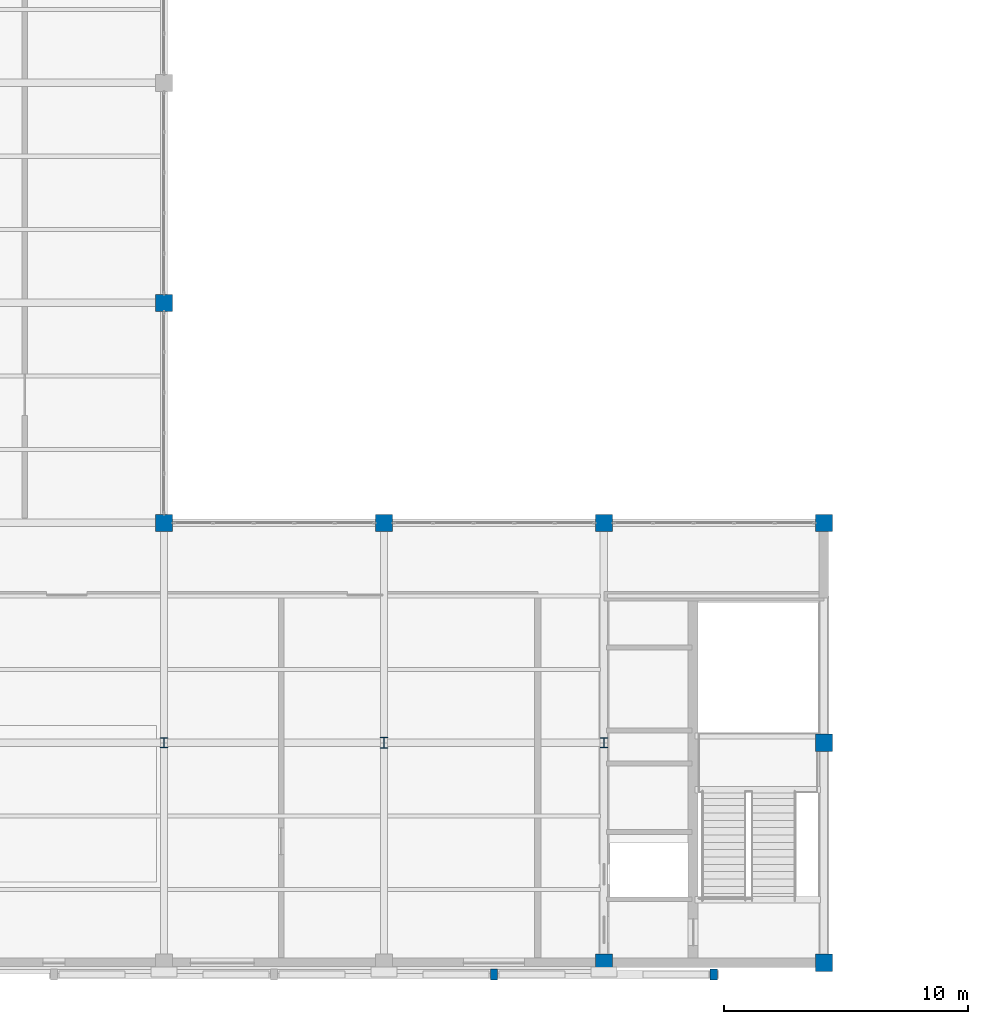
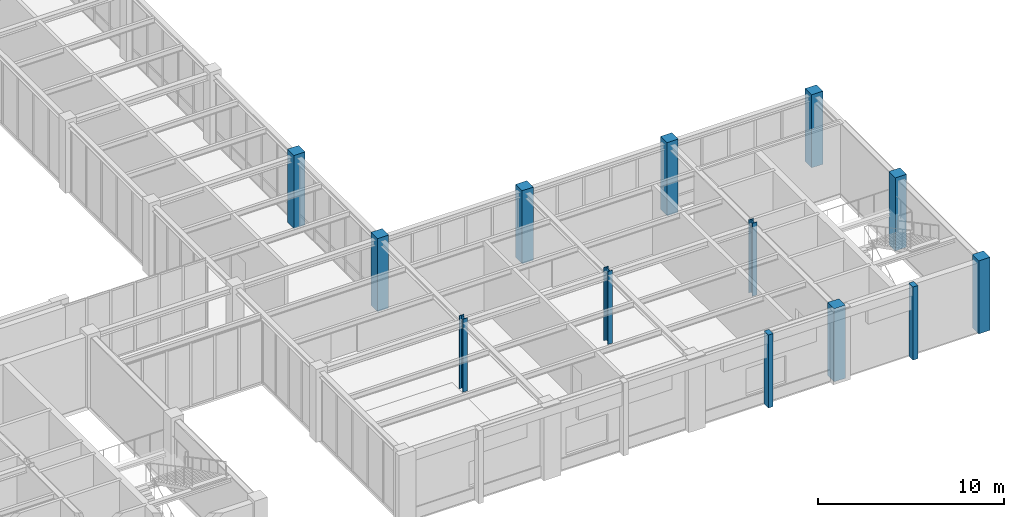
# One storey, part 5 of 92: 13 columns.
"""IFC4 building model written with IfcOpenShell, lengths in metres."""

from ifc_helpers import new_model, si_unit, direction, frame, origin, origin_2d, place, context, subcontext, project, spatial, rectangle, i_section, extrude, material, material_profile, profile_set, type_object, element, save


model = new_model("IFC4")

# Units and contexts
model_context = context("Model", 3, precision=1e-05, world=origin(), true_north=direction((0.0, 1.0)))
body_context = subcontext(model_context, "Body", "Model", "MODEL_VIEW")
ifc_project = project(units=[si_unit("LENGTHUNIT", "METRE"), si_unit("AREAUNIT", "SQUARE_METRE"), si_unit("VOLUMEUNIT", "CUBIC_METRE"), si_unit("PLANEANGLEUNIT", "RADIAN"), si_unit("MASSUNIT", "GRAM", prefix="KILO")], contexts=[model_context])

# Site, building, storey
site_placement = place(None, origin())
site = spatial("IfcSite", under=ifc_project, at=site_placement, CompositionType="ELEMENT")
building_placement = place(site_placement, origin())
building = spatial("IfcBuilding", under=site, at=building_placement, Name="Lykobir Media Centre", CompositionType="ELEMENT")
storey_placement = place(building_placement, frame((0.0, 0.0, 5.39990234375)))
storey = spatial("IfcBuildingStorey", under=building, at=storey_placement, Name="L01", CompositionType="ELEMENT", Elevation=5.39990234375)

# Columns
ifc_material_1 = material(Name="Honed Travertine Stone", Category="masonry")
ifc_material_profile_1 = material_profile(ifc_material_1, rectangle(XDim=0.300048828125, YDim=0.449951171875, at=origin_2d()), Name="RC PILASTER 450x300")
ifc_profile_set_1 = profile_set([ifc_material_profile_1], Name="Honed Travertine Stone")
column_type_1 = type_object("IfcColumnType", Name="PIL-450", PredefinedType="PILASTER", material=ifc_profile_set_1)
for number, where, z_axis, x_axis, name in (
    (1, (112.5, -0.47998046875, 0.0), (0.0, 0.0, 1.0), (1.0, 0.0, 0.0), "South Revak L01 colonnade pier 112.5"),
    (2, (121.5, -0.47998046875, 0.0), (0.0, 0.0, 1.0), (1.0, 0.0, 0.0), "South Revak L01 colonnade pier 121.5"),
):
    element("IfcColumn", number, at=place(storey_placement, frame(where, z_axis=z_axis, x_axis=x_axis)), inside=storey, type_object=column_type_1, Name=name, PredefinedType="PILASTER", context=body_context, shape_type="SweptSolid", body=[
        extrude(rectangle(XDim=0.300048828125, YDim=0.449951171875, at=origin_2d()), origin(), (0.0, 0.0, 1.0), 4.800048828125),
    ])
ifc_material_2 = material(Name="Concrete C40/50", Category="concrete")
ifc_material_profile_2 = material_profile(ifc_material_2, rectangle(XDim=0.699951171875, YDim=0.699951171875, at=origin_2d()), Name="RC 700x700")
ifc_profile_set_2 = profile_set([ifc_material_profile_2], Name="Concrete C40/50")
column_type_2 = type_object("IfcColumnType", Name="RC-C700", PredefinedType="COLUMN", material=ifc_profile_set_2)
for number, where, z_axis, x_axis, name in (
    (3, (99.0, 18.0, 0.0), (0.0, 0.0, 1.0), (1.0, 0.0, 0.0), "Column COL-L01-0990-0180"),
    (4, (99.0, 27.0, 0.0), (0.0, 0.0, 1.0), (1.0, 0.0, 0.0), "Column COL-L01-0990-0270"),
    (5, (108.0, 18.0, 0.0), (0.0, 0.0, 1.0), (1.0, 0.0, 0.0), "Column COL-L01-1080-0180"),
    (6, (117.0, 18.0, 0.0), (0.0, 0.0, 1.0), (1.0, 0.0, 0.0), "Column COL-L01-1170-0180"),
    (7, (126.0, 9.0, 0.0), (0.0, 0.0, 1.0), (1.0, 0.0, 0.0), "Column COL-L01-1260-0090"),
    (8, (126.0, 18.0, 0.0), (0.0, 0.0, 1.0), (1.0, 0.0, 0.0), "Column COL-L01-1260-0180"),
):
    element("IfcColumn", number, at=place(storey_placement, frame(where, z_axis=z_axis, x_axis=x_axis)), inside=storey, type_object=column_type_2, Name=name, PredefinedType="COLUMN", context=body_context, shape_type="SweptSolid", body=[
        extrude(rectangle(XDim=0.699951171875, YDim=0.699951171875, at=origin_2d()), origin(), (0.0, 0.0, 1.0), 4.800048828125),
    ])
ifc_material_profile_3 = material_profile(ifc_material_2, rectangle(XDim=0.699951171875, YDim=0.699951171875, at=origin_2d()), Name="RC 700x700")
ifc_profile_set_3 = profile_set([ifc_material_profile_3], Name="Concrete C40/50")
column_type_3 = type_object("IfcColumnType", Name="RC-C700-E", PredefinedType="COLUMN", material=ifc_profile_set_3)
for number, where, z_axis, x_axis, name in (
    (9, (117.0, 0.0, 0.0), (0.0, 0.0, 1.0), (1.0, 0.0, 0.0), "Column COL-L01-1170-0000"),
    (10, (126.0, 0.0, 0.0), (0.0, 0.0, 1.0), (1.0, 0.0, 0.0), "Column COL-L01-1260-0000"),
):
    element("IfcColumn", number, at=place(storey_placement, frame(where, z_axis=z_axis, x_axis=x_axis)), inside=storey, type_object=column_type_3, Name=name, PredefinedType="COLUMN", context=body_context, shape_type="SweptSolid", body=[
        extrude(rectangle(XDim=0.699951171875, YDim=0.699951171875, at=origin_2d()), origin(), (0.0, 0.0, 1.0), 4.800048828125),
    ])
ifc_material_3 = material(Name="Steel S355", Category="steel")
ifc_material_profile_4 = material_profile(ifc_material_3, i_section(OverallWidth=0.300048828125, OverallDepth=0.39990234375, WebThickness=0.013427734375, FlangeThickness=0.02392578125, at=origin_2d()), Name="HEB 400")
ifc_profile_set_4 = profile_set([ifc_material_profile_4], Name="Steel S355")
column_type_4 = type_object("IfcColumnType", Name="SC-HEB400", PredefinedType="COLUMN", material=ifc_profile_set_4)
for number, where, z_axis, x_axis, name in (
    (11, (99.0, 9.0, 0.0), (0.0, 0.0, 1.0), (1.0, 0.0, 0.0), "Column COL-L01-0990-0090"),
    (12, (117.0, 9.0, 0.0), (0.0, 0.0, 1.0), (1.0, 0.0, 0.0), "Column COL-L01-1170-0090"),
):
    element("IfcColumn", number, at=place(storey_placement, frame(where, z_axis=z_axis, x_axis=x_axis)), inside=storey, type_object=column_type_4, Name=name, PredefinedType="COLUMN", context=body_context, shape_type="SweptSolid", body=[
        extrude(i_section(OverallWidth=0.300048828125, OverallDepth=0.39990234375, WebThickness=0.013427734375, FlangeThickness=0.02392578125, at=origin_2d()), origin(), (0.0, 0.0, 1.0), 4.800048828125),
    ])
ifc_material_profile_5 = material_profile(ifc_material_3, i_section(OverallWidth=0.300048828125, OverallDepth=0.449951171875, WebThickness=0.013916015625, FlangeThickness=0.02587890625, at=origin_2d()), Name="HEB 450")
ifc_profile_set_5 = profile_set([ifc_material_profile_5], Name="Steel S355")
column_type_5 = type_object("IfcColumnType", Name="SC-HEB450", PredefinedType="COLUMN", material=ifc_profile_set_5)
column_placement = place(storey_placement, frame((108.0, 9.0, 0.0), z_axis=(0.0, 0.0, 1.0), x_axis=(1.0, 0.0, 0.0)))
element("IfcColumn", 13, at=column_placement, inside=storey, type_object=column_type_5, Name="Column COL-L01-1080-0090", PredefinedType="COLUMN", context=body_context, shape_type="SweptSolid", body=[
    extrude(i_section(OverallWidth=0.300048828125, OverallDepth=0.449951171875, WebThickness=0.013916015625, FlangeThickness=0.02587890625, at=origin_2d()), origin(), (0.0, 0.0, 1.0), 4.800048828125),
])

save(model, "model.ifc")
